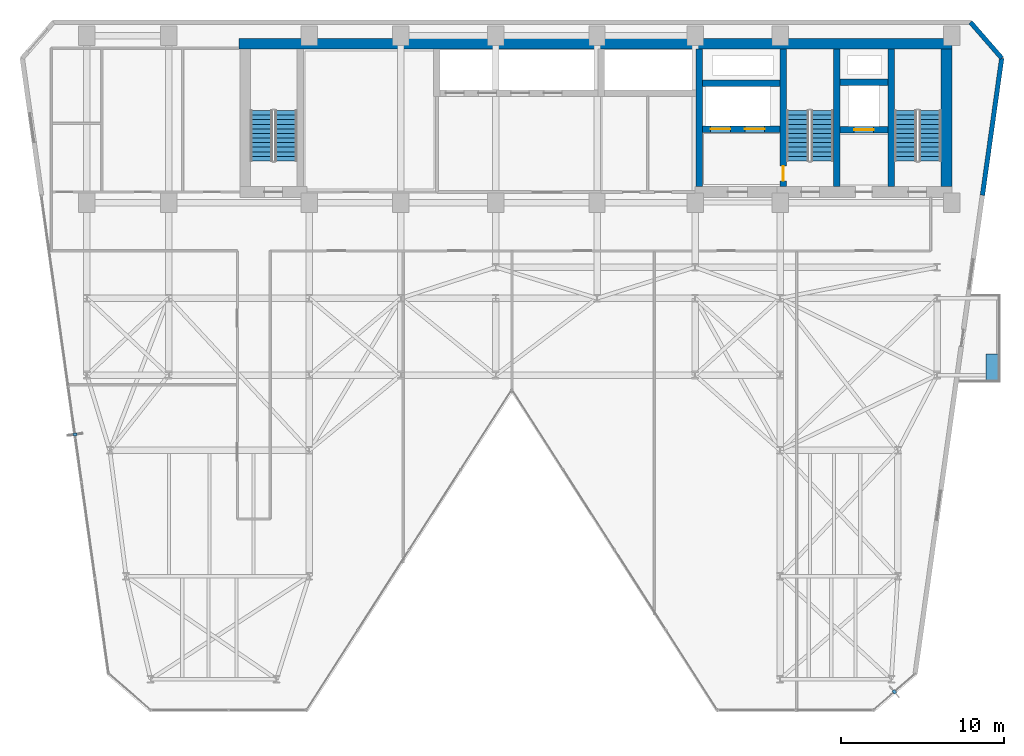
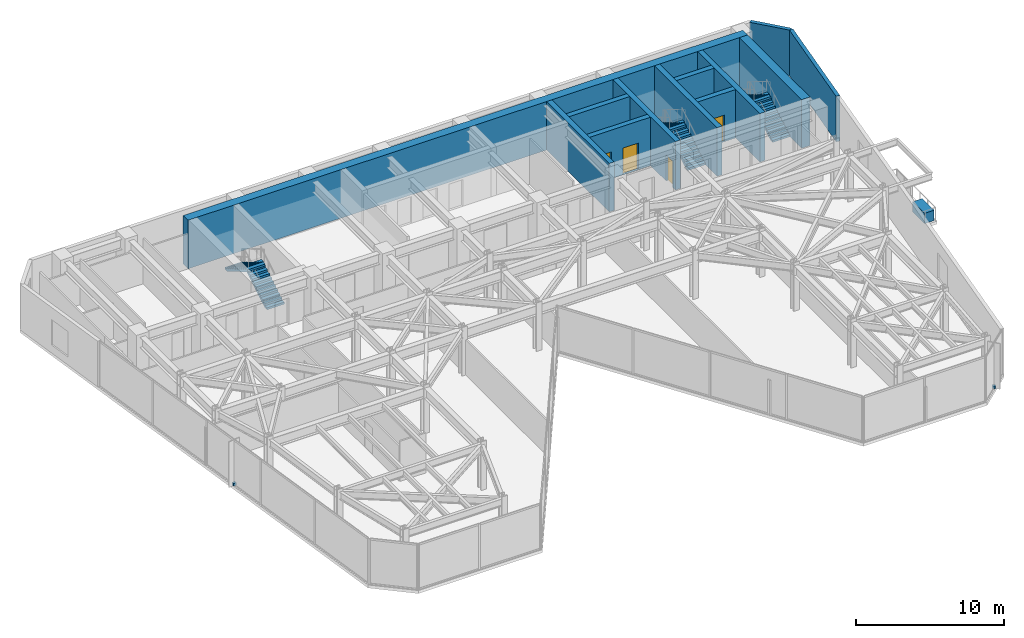
# One storey, part 23 of 26: 12 walls, 6 stair flights, 4 doors, 3 discrete accessories, 4 openings, 3 elements without a shape of their own.
"""IFC4 building model written with IfcOpenShell, lengths in metres."""

from ifc_helpers import new_model, si_unit, direction, frame, frame_2d, origin, origin_2d, place, context, subcontext, project, spatial, polyline, rectangle, outline, extrude, material, layer, layer_set, type_object, element, fill, aggregate, save


model = new_model("IFC4")

# Units and contexts
model_context = context("Model", 3, precision=1e-05, world=origin(), true_north=direction((0.0, 1.0)))
body_context = subcontext(model_context, "Body", "Model", "MODEL_VIEW")
ifc_project = project(units=[si_unit("LENGTHUNIT", "METRE"), si_unit("AREAUNIT", "SQUARE_METRE"), si_unit("VOLUMEUNIT", "CUBIC_METRE"), si_unit("PLANEANGLEUNIT", "RADIAN"), si_unit("MASSUNIT", "GRAM", prefix="KILO")], contexts=[model_context])

# Site, building, storey
site_placement = place(None, origin())
site = spatial("IfcSite", under=ifc_project, at=site_placement, CompositionType="ELEMENT")
building_placement = place(site_placement, origin())
building = spatial("IfcBuilding", under=site, at=building_placement, Name="Kravanh Interchange Tower", CompositionType="ELEMENT")
storey_placement = place(building_placement, frame((0.0, 0.0, 116.0)))
storey = spatial("IfcBuildingStorey", under=building, at=storey_placement, Name="L27", CompositionType="ELEMENT", Elevation=116.0)

# Walls
ifc_material_1 = material(Name="Concrete C70/85", Category="concrete")
ifc_layer_1 = layer(ifc_material_1, 0.64990234375)
ifc_layer_set_1 = layer_set([ifc_layer_1], Name="Core Shear Wall Concrete C70/85 650mm")
wall_type_1 = type_object("IfcWallType", Name="Core Shear Wall Concrete C70/85 650mm", PredefinedType="SHEAR", material=ifc_layer_set_1)
wall_1_placement = place(storey_placement, frame((22.89990234375, 47.074951171875, 0.0), z_axis=(0.0, 0.0, 1.0), x_axis=(1.0, 0.0, 0.0)))
element("IfcWall", 1, at=wall_1_placement, inside=storey, type_object=wall_type_1, Name="L27 North Core Shear Wall", PredefinedType="SHEAR", context=body_context, shape_type="SweptSolid", body=[
    extrude(rectangle(XDim=43.60009765625, YDim=0.64990234375, at=frame_2d((21.800048828125, 0.0))), origin(), (0.0, 0.0, 1.0), 4.0),
])
wall_2_placement = place(storey_placement, frame((66.175048828125, 38.324951171875, 0.0), z_axis=(0.0, 0.0, 1.0), x_axis=(0.0, 1.0, 0.0)))
element("IfcWall", 2, at=wall_2_placement, inside=storey, type_object=wall_type_1, Name="L27 Stair ST1 East Shear Wall", PredefinedType="SHEAR", context=body_context, shape_type="SweptSolid", body=[
    extrude(rectangle(XDim=8.425048828125, YDim=0.64990234375, at=frame_2d((4.21240234375, 0.0))), origin(), (0.0, 0.0, 1.0), 4.0),
])
ifc_material_2 = material(Name="Concrete C80/95", Category="concrete")
ifc_layer_2 = layer(ifc_material_2, 0.39990234375)
ifc_layer_set_2 = layer_set([ifc_layer_2], Name="Core Shear Wall Concrete C80/95 400mm")
wall_type_2 = type_object("IfcWallType", Name="Core Shear Wall Concrete C80/95 400mm", PredefinedType="SHEAR", material=ifc_layer_set_2)
for number, where, z_axis, x_axis, name in (
    (3, (62.800048828125, 38.324951171875, 0.0), (0.0, 0.0, 1.0), (0.0, 1.0, 0.0), "L27 Stair ST1 West Shear Wall"),
    (4, (59.449951171875, 38.324951171875, 0.0), (0.0, 0.0, 1.0), (0.0, 1.0, 0.0), "L27 Stair ST2 East Shear Wall"),
):
    element("IfcWall", number, at=place(storey_placement, frame(where, z_axis=z_axis, x_axis=x_axis)), inside=storey, type_object=wall_type_2, Name=name, PredefinedType="SHEAR", context=body_context, shape_type="SweptSolid", body=[
        extrude(rectangle(XDim=8.425048828125, YDim=0.39990234375, at=frame_2d((4.21240234375, 0.0))), origin(), (0.0, 0.0, 1.0), 4.0),
    ])

# Wall, opening, door
wall_3_placement = place(storey_placement, frame((56.199951171875, 38.324951171875, 0.0), z_axis=(0.0, 0.0, 1.0), x_axis=(0.0, 1.0, 0.0)))
wall_3 = element("IfcWall", 5, at=wall_3_placement, inside=storey, type_object=wall_type_2, Name="L27 Stair ST2 West Shear Wall", PredefinedType="SHEAR", context=body_context, shape_type="SweptSolid", body=[
    extrude(rectangle(XDim=8.425048828125, YDim=0.39990234375, at=frame_2d((4.21240234375, 0.0))), origin(), (0.0, 0.0, 1.0), 4.0),
])
opening_1_placement = place(wall_3_placement, frame((0.35498046875, 0.0, 0.0)))
opening_1 = element("IfcOpeningElement", 6, at=opening_1_placement, cuts=wall_3, Name="Opening D-STAIR-90", PredefinedType="OPENING", context=body_context, shape_type="SweptSolid", body=[
    extrude(rectangle(XDim=0.89990234375, YDim=2.14990234375, at=frame_2d((0.449951171875, 1.074951171875))), frame((0.0, 0.2099609375, 0.0), z_axis=(0.0, -1.0, 0.0), x_axis=(1.0, 0.0, 0.0)), (0.0, 0.0, 1.0), 0.419921875),
])
ifc_material_3 = material(Name="Structural Steel S355", Category="steel")
door_type_1 = type_object("IfcDoorType", Name="Fire-Rated Stair Lobby Door 900x2150", OperationType="NOTDEFINED", PredefinedType="DOOR", material=ifc_material_3)
door_1_placement = place(opening_1_placement, origin())
door_1 = element("IfcDoor", 7, at=door_1_placement, inside=storey, type_object=door_type_1, Name="L27 Firefighting Lobby to Stair ST2 Door", OperationType="SINGLE_SWING_LEFT", OverallHeight=2.14990234375, OverallWidth=0.89990234375, PredefinedType="DOOR", context=body_context, shape_type="SweptSolid", body=[
    extrude(rectangle(XDim=0.89990234375, YDim=2.14990234375, at=frame_2d((0.449951171875, 1.074951171875))), frame((0.0, 0.02490234375, 0.0), z_axis=(0.0, -1.0, 0.0), x_axis=(1.0, 0.0, 0.0)), (0.0, 0.0, 1.0), 0.050048828125),
])
fill(opening_1, door_1)

wall_4_placement = place(storey_placement, frame((59.64990234375, 41.800048828125, 0.0), z_axis=(0.0, 0.0, 1.0), x_axis=(1.0, 0.0, 0.0)))
wall_4 = element("IfcWall", 8, at=wall_4_placement, inside=storey, type_object=wall_type_2, Name="L27 Service Lift Shaft South Wall", PredefinedType="SHEAR", context=body_context, shape_type="SweptSolid", body=[
    extrude(rectangle(XDim=2.9501953125, YDim=0.39990234375, at=frame_2d((1.47509765625, 0.0))), origin(), (0.0, 0.0, 1.0), 4.0),
])
opening_2_placement = place(wall_4_placement, frame((0.8701171875, 0.0, 0.0)))
opening_2 = element("IfcOpeningElement", 9, at=opening_2_placement, cuts=wall_4, Name="Opening LD02", PredefinedType="OPENING", context=body_context, shape_type="SweptSolid", body=[
    extrude(rectangle(XDim=1.199951171875, YDim=2.199951171875, at=frame_2d((0.60009765625, 1.10009765625))), frame((0.0, 0.2099609375, 0.0), z_axis=(0.0, -1.0, 0.0), x_axis=(1.0, 0.0, 0.0)), (0.0, 0.0, 1.0), 0.419921875),
])
ifc_material_4 = material(Name="Stainless Steel 316", Category="steel")
door_type_2 = type_object("IfcDoorType", Name="Fire and Service Lift Sliding Landing Door 1200x2200", OperationType="DOUBLE_DOOR_SLIDING", PredefinedType="DOOR", material=ifc_material_4)
door_2_placement = place(opening_2_placement, origin())
door_2 = element("IfcDoor", 10, at=door_2_placement, inside=storey, type_object=door_type_2, Name="L27 Lift LS-01 Landing Door", OperationType="DOUBLE_DOOR_SLIDING", OverallHeight=2.199951171875, OverallWidth=1.199951171875, PredefinedType="DOOR", context=body_context, shape_type="SweptSolid", body=[
    extrude(rectangle(XDim=1.199951171875, YDim=2.199951171875, at=frame_2d((0.60009765625, 1.10009765625))), frame((0.0, 0.02490234375, 0.0), z_axis=(0.0, -1.0, 0.0), x_axis=(1.0, 0.0, 0.0)), (0.0, 0.0, 1.0), 0.050048828125),
])
fill(opening_2, door_2)

# Wall
wall_5_placement = place(storey_placement, frame((59.64990234375, 44.699951171875, 0.0), z_axis=(0.0, 0.0, 1.0), x_axis=(1.0, 0.0, 0.0)))
element("IfcWall", 11, at=wall_5_placement, inside=storey, type_object=wall_type_2, Name="L27 Service Lift Shaft North Wall", PredefinedType="SHEAR", context=body_context, shape_type="SweptSolid", body=[
    extrude(rectangle(XDim=2.9501953125, YDim=0.39990234375, at=frame_2d((1.47509765625, 0.0))), origin(), (0.0, 0.0, 1.0), 4.0),
])

# Wall, openings, doors
wall_6_placement = place(storey_placement, frame((51.25, 41.85009765625, 0.0), z_axis=(0.0, 0.0, 1.0), x_axis=(1.0, 0.0, 0.0)))
wall_6 = element("IfcWall", 12, at=wall_6_placement, inside=storey, type_object=wall_type_2, Name="L27 Fire Lift Shaft South Wall", PredefinedType="SHEAR", context=body_context, shape_type="SweptSolid", body=[
    extrude(rectangle(XDim=4.75, YDim=0.39990234375, at=frame_2d((2.375, 0.0))), origin(), (0.0, 0.0, 1.0), 4.0),
])
opening_3_placement = place(wall_6_placement, frame((0.5, 0.0, 0.0)))
opening_3 = element("IfcOpeningElement", 13, at=opening_3_placement, cuts=wall_6, Name="Opening LD02", PredefinedType="OPENING", context=body_context, shape_type="SweptSolid", body=[
    extrude(rectangle(XDim=1.199951171875, YDim=2.199951171875, at=frame_2d((0.60009765625, 1.10009765625))), frame((0.0, 0.2099609375, 0.0), z_axis=(0.0, -1.0, 0.0), x_axis=(1.0, 0.0, 0.0)), (0.0, 0.0, 1.0), 0.419921875),
])
opening_4_placement = place(wall_6_placement, frame((2.60009765625, 0.0, 0.0)))
opening_4 = element("IfcOpeningElement", 14, at=opening_4_placement, cuts=wall_6, Name="Opening LD02", PredefinedType="OPENING", context=body_context, shape_type="SweptSolid", body=[
    extrude(rectangle(XDim=1.199951171875, YDim=2.199951171875, at=frame_2d((0.60009765625, 1.10009765625))), frame((0.0, 0.2099609375, 0.0), z_axis=(0.0, -1.0, 0.0), x_axis=(1.0, 0.0, 0.0)), (0.0, 0.0, 1.0), 0.419921875),
])
door_3_placement = place(opening_3_placement, origin())
door_3 = element("IfcDoor", 15, at=door_3_placement, inside=storey, type_object=door_type_2, Name="L27 Lift FSAE-01 Landing Door", OperationType="DOUBLE_DOOR_SLIDING", OverallHeight=2.199951171875, OverallWidth=1.199951171875, PredefinedType="DOOR", context=body_context, shape_type="SweptSolid", body=[
    extrude(rectangle(XDim=1.199951171875, YDim=2.199951171875, at=frame_2d((0.60009765625, 1.10009765625))), frame((0.0, 0.02490234375, 0.0), z_axis=(0.0, -1.0, 0.0), x_axis=(1.0, 0.0, 0.0)), (0.0, 0.0, 1.0), 0.050048828125),
])
fill(opening_3, door_3)
door_4_placement = place(opening_4_placement, origin())
door_4 = element("IfcDoor", 16, at=door_4_placement, inside=storey, type_object=door_type_2, Name="L27 Lift FSAE-02 Landing Door", OperationType="DOUBLE_DOOR_SLIDING", OverallHeight=2.199951171875, OverallWidth=1.199951171875, PredefinedType="DOOR", context=body_context, shape_type="SweptSolid", body=[
    extrude(rectangle(XDim=1.199951171875, YDim=2.199951171875, at=frame_2d((0.60009765625, 1.10009765625))), frame((0.0, 0.02490234375, 0.0), z_axis=(0.0, -1.0, 0.0), x_axis=(1.0, 0.0, 0.0)), (0.0, 0.0, 1.0), 0.050048828125),
])
fill(opening_4, door_4)

# Walls
wall_7_placement = place(storey_placement, frame((51.25, 44.64990234375, 0.0), z_axis=(0.0, 0.0, 1.0), x_axis=(1.0, 0.0, 0.0)))
element("IfcWall", 17, at=wall_7_placement, inside=storey, type_object=wall_type_2, Name="L27 Fire Lift Shaft North Wall", PredefinedType="SHEAR", context=body_context, shape_type="SweptSolid", body=[
    extrude(rectangle(XDim=4.75, YDim=0.39990234375, at=frame_2d((2.375, 0.0))), origin(), (0.0, 0.0, 1.0), 4.0),
])
wall_8_placement = place(storey_placement, frame((51.050048828125, 38.324951171875, 0.0), z_axis=(0.0, 0.0, 1.0), x_axis=(0.0, 1.0, 0.0)))
element("IfcWall", 18, at=wall_8_placement, inside=storey, type_object=wall_type_2, Name="L27 Firefighting Lobby West Wall", PredefinedType="SHEAR", context=body_context, shape_type="SweptSolid", body=[
    extrude(rectangle(XDim=8.425048828125, YDim=0.39990234375, at=frame_2d((4.21240234375, 0.0))), origin(), (0.0, 0.0, 1.0), 4.0),
])
ifc_material_5 = material(Name="Insulated Precast Concrete C40/50 with Bronze Cladding", Category="concrete")
ifc_layer_3 = layer(ifc_material_5, 0.280029296875)
ifc_layer_set_3 = layer_set([ifc_layer_3], Name="Exterior Insulated Concrete C40/50 Bronze Spandrel Wall 280mm")
wall_type_3 = type_object("IfcWallType", Name="Exterior Insulated Concrete C40/50 Bronze Spandrel Wall 280mm", PredefinedType="STANDARD", material=ifc_layer_set_3)
wall_9_placement = place(storey_placement, frame((67.645263671875, 48.3798828125, 0.0), z_axis=(0.0, 0.0, 1.0), x_axis=(0.656070644076, -0.754699483226, 0.0)))
element("IfcWall", 19, at=wall_9_placement, inside=storey, type_object=wall_type_3, Name="L27 Exterior Wall 4", PredefinedType="STANDARD", context=body_context, shape_type="SweptSolid", body=[
    extrude(rectangle(XDim=2.908447265625, YDim=0.280029296875, at=frame_2d((1.4541015625, 0.0))), origin(), (0.0, 0.0, 1.0), 3.75),
])
wall_10_placement = place(storey_placement, frame((69.553466796875, 46.184814453125, 0.0), z_axis=(0.0, 0.0, 1.0), x_axis=(-0.139180610108, -0.990267013371, 0.0)))
element("IfcWall", 20, at=wall_10_placement, inside=storey, type_object=wall_type_3, Name="L27 Exterior Wall 5", PredefinedType="STANDARD", context=body_context, shape_type="SweptSolid", body=[
    extrude(rectangle(XDim=8.46728515625, YDim=0.280029296875, at=frame_2d((4.233642578125, 0.0))), origin(), (0.0, 0.0, 1.0), 3.75),
])

# Stair, stair flights
ifc_material_6 = material(Name="Concrete C50/60", Category="concrete")
stair_type = type_object("IfcStairType", Name="Core Fire Exit Dogleg Stair Concrete C50/60", PredefinedType="HALF_TURN_STAIR", material=ifc_material_6)
stair_1_placement = place(storey_placement, origin())
stair_1 = element("IfcStair", 21, at=stair_1_placement, inside=storey, type_object=stair_type, Name="L27 Exit Stair ST1", PredefinedType="HALF_TURN_STAIR")
ifc_material_7 = material(Name="Precast Concrete C50/60", Category="concrete")
ifc_layer_4 = layer(ifc_material_7, 0.199951171875)
ifc_layer_set_4 = layer_set([ifc_layer_4], Name="Precast Concrete C50/60 Stair Flight 1350mm")
stair_flight_type = type_object("IfcStairFlightType", Name="Precast Concrete C50/60 Stair Flight 1350mm", PredefinedType="STRAIGHT", material=ifc_layer_set_4)
stair_flight_1_placement = place(storey_placement, frame((65.175048828125, 39.89990234375, 0.0), z_axis=(0.0, 0.0, 1.0), x_axis=(0.0, 1.0, 0.0)))
stair_flight_1 = element("IfcStairFlight", 22, at=stair_flight_1_placement, type_object=stair_flight_type, Name="ST1 flight 1", NumberOfRisers=12, NumberOfTreads=11, PredefinedType="STRAIGHT", RiserHeight=0.166666667, TreadLength=0.28, context=body_context, shape_type="SweptSolid", body=[
    extrude(outline(polyline([(0.0, 0.0), (0.0, 0.166748046875), (0.280029296875, 0.166748046875), (0.280029296875, 0.333251953125), (0.56005859375, 0.333251953125), (0.56005859375, 0.5), (0.840087890625, 0.5), (0.840087890625, 0.666748046875), (1.1201171875, 0.666748046875), (1.1201171875, 0.833251953125), (1.39990234375, 0.833251953125), (1.39990234375, 1.0), (1.679931640625, 1.0), (1.679931640625, 1.166748046875), (1.9599609375, 1.166748046875), (1.9599609375, 1.333251953125), (2.239990234375, 1.333251953125), (2.239990234375, 1.5), (2.52001953125, 1.5), (2.52001953125, 1.666748046875), (2.800048828125, 1.666748046875), (2.800048828125, 1.833251953125), (3.080078125, 1.833251953125), (3.080078125, 2.0), (3.080078125, 1.658935546875), (0.29296875, 0.0), (0.0, 0.0)])), frame((0.0, 0.675048828125, 0.0), z_axis=(0.0, -1.0, 0.0), x_axis=(1.0, 0.0, 0.0)), (0.0, 0.0, 1.0), 1.35009765625),
])
stair_flight_2_placement = place(storey_placement, frame((63.675048828125, 42.97998046875, 2.0), z_axis=(0.0, 0.0, 1.0), x_axis=(0.0, -1.0, 0.0)))
stair_flight_2 = element("IfcStairFlight", 23, at=stair_flight_2_placement, type_object=stair_flight_type, Name="ST1 flight 2", NumberOfRisers=12, NumberOfTreads=11, PredefinedType="STRAIGHT", RiserHeight=0.166666667, TreadLength=0.28, context=body_context, shape_type="SweptSolid", body=[
    extrude(outline(polyline([(0.0, 0.0), (0.0, 0.166748046875), (0.280029296875, 0.166748046875), (0.280029296875, 0.333251953125), (0.56005859375, 0.333251953125), (0.56005859375, 0.5), (0.840087890625, 0.5), (0.840087890625, 0.666748046875), (1.1201171875, 0.666748046875), (1.1201171875, 0.833251953125), (1.39990234375, 0.833251953125), (1.39990234375, 1.0), (1.679931640625, 1.0), (1.679931640625, 1.166748046875), (1.9599609375, 1.166748046875), (1.9599609375, 1.333251953125), (2.239990234375, 1.333251953125), (2.239990234375, 1.5), (2.52001953125, 1.5), (2.52001953125, 1.666748046875), (2.800048828125, 1.666748046875), (2.800048828125, 1.833251953125), (3.080078125, 1.833251953125), (3.080078125, 2.0), (3.080078125, 1.658935546875), (0.29296875, 0.0), (0.0, 0.0)])), frame((0.0, 0.675048828125, 0.0), z_axis=(0.0, -1.0, 0.0), x_axis=(1.0, 0.0, 0.0)), (0.0, 0.0, 1.0), 1.35009765625),
])
aggregate(stair_1, [stair_flight_1, stair_flight_2])

stair_2_placement = place(storey_placement, origin())
stair_2 = element("IfcStair", 24, at=stair_2_placement, inside=storey, type_object=stair_type, Name="L27 Exit Stair ST2", PredefinedType="HALF_TURN_STAIR")
stair_flight_3_placement = place(storey_placement, frame((58.574951171875, 39.89990234375, 0.0), z_axis=(0.0, 0.0, 1.0), x_axis=(0.0, 1.0, 0.0)))
stair_flight_3 = element("IfcStairFlight", 25, at=stair_flight_3_placement, type_object=stair_flight_type, Name="ST2 flight 1", NumberOfRisers=12, NumberOfTreads=11, PredefinedType="STRAIGHT", RiserHeight=0.166666667, TreadLength=0.28, context=body_context, shape_type="SweptSolid", body=[
    extrude(outline(polyline([(0.0, 0.0), (0.0, 0.166748046875), (0.280029296875, 0.166748046875), (0.280029296875, 0.333251953125), (0.56005859375, 0.333251953125), (0.56005859375, 0.5), (0.840087890625, 0.5), (0.840087890625, 0.666748046875), (1.1201171875, 0.666748046875), (1.1201171875, 0.833251953125), (1.39990234375, 0.833251953125), (1.39990234375, 1.0), (1.679931640625, 1.0), (1.679931640625, 1.166748046875), (1.9599609375, 1.166748046875), (1.9599609375, 1.333251953125), (2.239990234375, 1.333251953125), (2.239990234375, 1.5), (2.52001953125, 1.5), (2.52001953125, 1.666748046875), (2.800048828125, 1.666748046875), (2.800048828125, 1.833251953125), (3.080078125, 1.833251953125), (3.080078125, 2.0), (3.080078125, 1.658935546875), (0.29296875, 0.0), (0.0, 0.0)])), frame((0.0, 0.675048828125, 0.0), z_axis=(0.0, -1.0, 0.0), x_axis=(1.0, 0.0, 0.0)), (0.0, 0.0, 1.0), 1.35009765625),
])
stair_flight_4_placement = place(storey_placement, frame((57.074951171875, 42.97998046875, 2.0), z_axis=(0.0, 0.0, 1.0), x_axis=(0.0, -1.0, 0.0)))
stair_flight_4 = element("IfcStairFlight", 26, at=stair_flight_4_placement, type_object=stair_flight_type, Name="ST2 flight 2", NumberOfRisers=12, NumberOfTreads=11, PredefinedType="STRAIGHT", RiserHeight=0.166666667, TreadLength=0.28, context=body_context, shape_type="SweptSolid", body=[
    extrude(outline(polyline([(0.0, 0.0), (0.0, 0.166748046875), (0.280029296875, 0.166748046875), (0.280029296875, 0.333251953125), (0.56005859375, 0.333251953125), (0.56005859375, 0.5), (0.840087890625, 0.5), (0.840087890625, 0.666748046875), (1.1201171875, 0.666748046875), (1.1201171875, 0.833251953125), (1.39990234375, 0.833251953125), (1.39990234375, 1.0), (1.679931640625, 1.0), (1.679931640625, 1.166748046875), (1.9599609375, 1.166748046875), (1.9599609375, 1.333251953125), (2.239990234375, 1.333251953125), (2.239990234375, 1.5), (2.52001953125, 1.5), (2.52001953125, 1.666748046875), (2.800048828125, 1.666748046875), (2.800048828125, 1.833251953125), (3.080078125, 1.833251953125), (3.080078125, 2.0), (3.080078125, 1.658935546875), (0.29296875, 0.0), (0.0, 0.0)])), frame((0.0, 0.675048828125, 0.0), z_axis=(0.0, -1.0, 0.0), x_axis=(1.0, 0.0, 0.0)), (0.0, 0.0, 1.0), 1.35009765625),
])
aggregate(stair_2, [stair_flight_3, stair_flight_4])

stair_3_placement = place(storey_placement, origin())
stair_3 = element("IfcStair", 27, at=stair_3_placement, inside=storey, type_object=stair_type, Name="L27 Exit Stair ST3", PredefinedType="HALF_TURN_STAIR")
stair_flight_5_placement = place(storey_placement, frame((25.77490234375, 39.89990234375, 0.0), z_axis=(0.0, 0.0, 1.0), x_axis=(0.0, 1.0, 0.0)))
stair_flight_5 = element("IfcStairFlight", 28, at=stair_flight_5_placement, type_object=stair_flight_type, Name="ST3 flight 1", NumberOfRisers=12, NumberOfTreads=11, PredefinedType="STRAIGHT", RiserHeight=0.166666667, TreadLength=0.28, context=body_context, shape_type="SweptSolid", body=[
    extrude(outline(polyline([(0.0, 0.0), (0.0, 0.166748046875), (0.280029296875, 0.166748046875), (0.280029296875, 0.333251953125), (0.56005859375, 0.333251953125), (0.56005859375, 0.5), (0.840087890625, 0.5), (0.840087890625, 0.666748046875), (1.1201171875, 0.666748046875), (1.1201171875, 0.833251953125), (1.39990234375, 0.833251953125), (1.39990234375, 1.0), (1.679931640625, 1.0), (1.679931640625, 1.166748046875), (1.9599609375, 1.166748046875), (1.9599609375, 1.333251953125), (2.239990234375, 1.333251953125), (2.239990234375, 1.5), (2.52001953125, 1.5), (2.52001953125, 1.666748046875), (2.800048828125, 1.666748046875), (2.800048828125, 1.833251953125), (3.080078125, 1.833251953125), (3.080078125, 2.0), (3.080078125, 1.658935546875), (0.29296875, 0.0), (0.0, 0.0)])), frame((0.0, 0.675048828125, 0.0), z_axis=(0.0, -1.0, 0.0), x_axis=(1.0, 0.0, 0.0)), (0.0, 0.0, 1.0), 1.35009765625),
])
stair_flight_6_placement = place(storey_placement, frame((24.27490234375, 42.97998046875, 2.0), z_axis=(0.0, 0.0, 1.0), x_axis=(0.0, -1.0, 0.0)))
stair_flight_6 = element("IfcStairFlight", 29, at=stair_flight_6_placement, type_object=stair_flight_type, Name="ST3 flight 2", NumberOfRisers=12, NumberOfTreads=11, PredefinedType="STRAIGHT", RiserHeight=0.166666667, TreadLength=0.28, context=body_context, shape_type="SweptSolid", body=[
    extrude(outline(polyline([(0.0, 0.0), (0.0, 0.166748046875), (0.280029296875, 0.166748046875), (0.280029296875, 0.333251953125), (0.56005859375, 0.333251953125), (0.56005859375, 0.5), (0.840087890625, 0.5), (0.840087890625, 0.666748046875), (1.1201171875, 0.666748046875), (1.1201171875, 0.833251953125), (1.39990234375, 0.833251953125), (1.39990234375, 1.0), (1.679931640625, 1.0), (1.679931640625, 1.166748046875), (1.9599609375, 1.166748046875), (1.9599609375, 1.333251953125), (2.239990234375, 1.333251953125), (2.239990234375, 1.5), (2.52001953125, 1.5), (2.52001953125, 1.666748046875), (2.800048828125, 1.666748046875), (2.800048828125, 1.833251953125), (3.080078125, 1.833251953125), (3.080078125, 2.0), (3.080078125, 1.658935546875), (0.29296875, 0.0), (0.0, 0.0)])), frame((0.0, 0.675048828125, 0.0), z_axis=(0.0, -1.0, 0.0), x_axis=(1.0, 0.0, 0.0)), (0.0, 0.0, 1.0), 1.35009765625),
])
aggregate(stair_3, [stair_flight_5, stair_flight_6])

# Discrete accessories
ifc_material_8 = material(Name="Stainless Steel 316", Category="steel")
discrete_accessory_type_1 = type_object("IfcDiscreteAccessoryType", Name="Solar Fin Curtain-Wall Mounting Bracket Stainless 316", PredefinedType="BRACKET", material=ifc_material_8)
for number, where, z_axis, x_axis, name in (
    (30, (12.881103515625, 23.16943359375, 0.0), (0.0, 0.0, 1.0), (-0.990268017027, -0.139173468924, 0.0), "L27 Solar Fin Mounting Bracket 1"),
    (31, (62.986328125, 7.429443359375, 0.0), (0.0, 0.0, 1.0), (0.656056045951, -0.754712173329, 0.0), "L27 Solar Fin Mounting Bracket 2"),
):
    element("IfcDiscreteAccessory", number, at=place(storey_placement, frame(where, z_axis=z_axis, x_axis=x_axis)), inside=storey, type_object=discrete_accessory_type_1, Name=name, PredefinedType="BRACKET", context=body_context, shape_type="SweptSolid", body=[
        extrude(rectangle(XDim=0.239990234375, YDim=0.179931640625, at=origin_2d()), origin(), (0.0, 0.0, 1.0), 0.219970703125),
    ])
ifc_material_9 = material(Name="Architectural GRC Concrete C40/50 with Root Barrier", Category="concrete")
discrete_accessory_type_2 = type_object("IfcDiscreteAccessoryType", Name="Structural Balcony Tree Planter Box Concrete C40/50 1600x750x850", PredefinedType="USERDEFINED", material=ifc_material_9)
discrete_accessory_placement = place(storey_placement, frame((68.969970703125, 27.300048828125, 0.0), z_axis=(0.0, 0.0, 1.0), x_axis=(1.0, 0.0, 0.0)))
element("IfcDiscreteAccessory", 32, at=discrete_accessory_placement, inside=storey, type_object=discrete_accessory_type_2, Name="L27 E Balcony TREE PLANTER", ObjectType="PLANTER", PredefinedType="USERDEFINED", context=body_context, shape_type="SweptSolid", body=[
    extrude(rectangle(XDim=0.75, YDim=1.60009765625, at=origin_2d()), origin(), (0.0, 0.0, 1.0), 0.85009765625),
])

save(model, "model.ifc")
